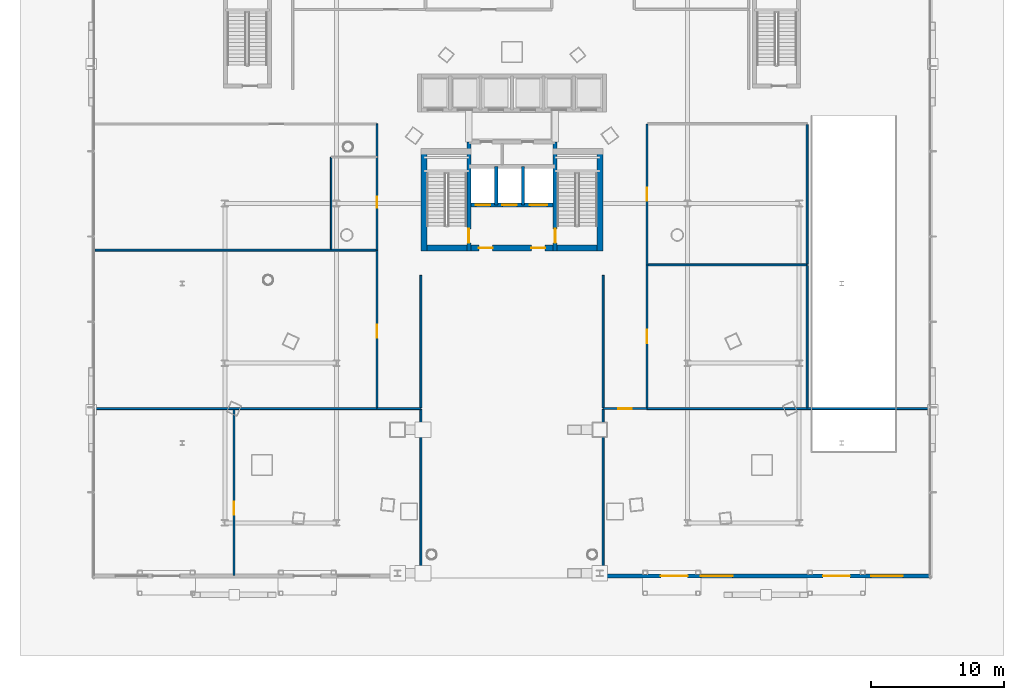
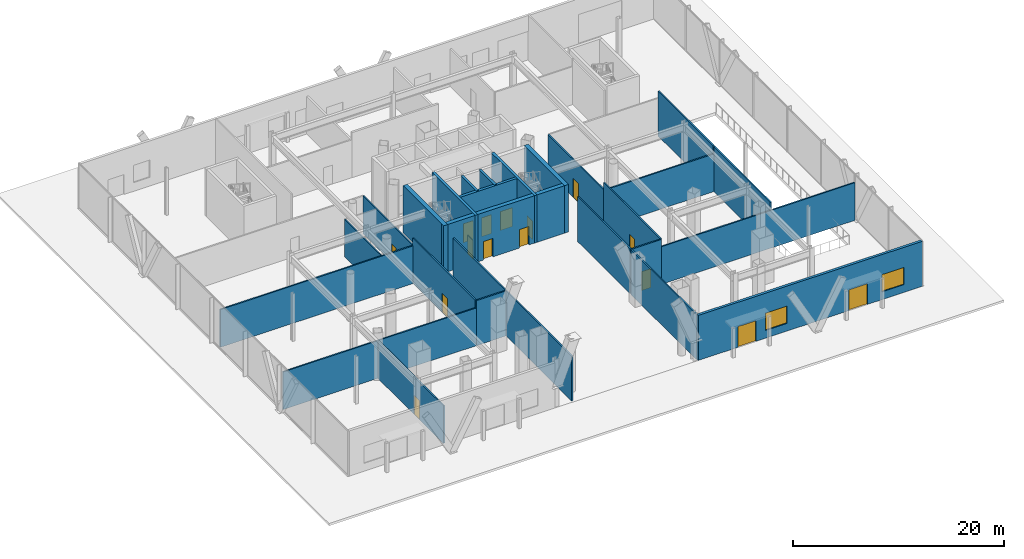
# One storey, part 27 of 38: 27 walls, 15 doors, 2 windows, 17 openings.
"""IFC4 building model written with IfcOpenShell, lengths in metres."""

from ifc_helpers import new_model, si_unit, direction, frame, frame_2d, origin, place, context, subcontext, project, spatial, rectangle, extrude, material, layer, layer_set, type_object, element, fill, save


model = new_model("IFC4")

# Units and contexts
model_context = context("Model", 3, precision=1e-05, world=origin(), true_north=direction((0.0, 1.0)))
body_context = subcontext(model_context, "Body", "Model", "MODEL_VIEW")
ifc_project = project(units=[si_unit("LENGTHUNIT", "METRE"), si_unit("AREAUNIT", "SQUARE_METRE"), si_unit("VOLUMEUNIT", "CUBIC_METRE"), si_unit("PLANEANGLEUNIT", "RADIAN"), si_unit("MASSUNIT", "GRAM", prefix="KILO")], contexts=[model_context])

# Site, building, storey
site_placement = place(None, origin())
site = spatial("IfcSite", under=ifc_project, at=site_placement, CompositionType="ELEMENT")
building_placement = place(site_placement, origin())
building = spatial("IfcBuilding", under=site, at=building_placement, Name="Orvanel Arch Residences", CompositionType="ELEMENT")
storey_placement = place(building_placement, origin())
storey = spatial("IfcBuildingStorey", under=building, at=storey_placement, Name="L00", CompositionType="ELEMENT", Elevation=0.0)

# Wall, openings, doors, windows
ifc_material_1 = material(Name="Precast concrete N50 (50 MPa)", Category="concrete")
ifc_layer_1 = layer(ifc_material_1, 0.280029296875)
ifc_layer_set_1 = layer_set([ifc_layer_1], Name="Precast concrete N50 (50 MPa)")
wall_type_1 = type_object("IfcWallType", Name="EW-POD-280", PredefinedType="SOLIDWALL", material=ifc_layer_set_1)
wall_1_placement = place(storey_placement, frame((64.43994140625, 1.989990234375, 0.0), z_axis=(0.0, 0.0, 1.0), x_axis=(-1.0, 0.0, 0.0)))
wall_1 = element("IfcWall", 1, at=wall_1_placement, inside=storey, type_object=wall_type_1, Name="L00 South-East Retail Streetfront Wall", PredefinedType="SOLIDWALL", context=body_context, shape_type="SweptSolid", body=[
    extrude(rectangle(XDim=24.5849609375, YDim=0.280029296875, at=frame_2d((12.29248046875, 0.0))), origin(), (0.0, 0.0, 1.0), 5.219970703125),
])
opening_1_placement = place(wall_1_placement, frame((6.0400390625, 0.0, 0.0)))
opening_1 = element("IfcOpeningElement", 2, at=opening_1_placement, cuts=wall_1, Name="Opening DE-200", PredefinedType="OPENING", context=body_context, shape_type="SweptSolid", body=[
    extrude(rectangle(XDim=2.0, YDim=2.39990234375, at=frame_2d((1.0, 1.199951171875))), frame((0.0, 0.14990234375, 0.0), z_axis=(0.0, -1.0, 0.0), x_axis=(1.0, 0.0, 0.0)), (0.0, 0.0, 1.0), 0.300048828125),
])
opening_2_placement = place(wall_1_placement, frame((18.239990234375, 0.0, 0.0)))
opening_2 = element("IfcOpeningElement", 3, at=opening_2_placement, cuts=wall_1, Name="Opening DE-200", PredefinedType="OPENING", context=body_context, shape_type="SweptSolid", body=[
    extrude(rectangle(XDim=2.0, YDim=2.39990234375, at=frame_2d((1.0, 1.199951171875))), frame((0.0, 0.14990234375, 0.0), z_axis=(0.0, -1.0, 0.0), x_axis=(1.0, 0.0, 0.0)), (0.0, 0.0, 1.0), 0.300048828125),
])
opening_3_placement = place(wall_1_placement, frame((2.0400390625, 0.0, 0.89990234375)))
opening_3 = element("IfcOpeningElement", 4, at=opening_3_placement, cuts=wall_1, Name="Opening W-02", PredefinedType="OPENING", context=body_context, shape_type="SweptSolid", body=[
    extrude(rectangle(XDim=2.39990234375, YDim=2.0, at=frame_2d((1.199951171875, 1.0))), frame((0.0, 0.14990234375, 0.0), z_axis=(0.0, -1.0, 0.0), x_axis=(1.0, 0.0, 0.0)), (0.0, 0.0, 1.0), 0.300048828125),
])
opening_4_placement = place(wall_1_placement, frame((14.840087890625, 0.0, 0.89990234375)))
opening_4 = element("IfcOpeningElement", 5, at=opening_4_placement, cuts=wall_1, Name="Opening W-02", PredefinedType="OPENING", context=body_context, shape_type="SweptSolid", body=[
    extrude(rectangle(XDim=2.39990234375, YDim=2.0, at=frame_2d((1.199951171875, 1.0))), frame((0.0, 0.14990234375, 0.0), z_axis=(0.0, -1.0, 0.0), x_axis=(1.0, 0.0, 0.0)), (0.0, 0.0, 1.0), 0.300048828125),
])
ifc_material_2 = material(Name="Bronze-anodised aluminium AA6063-T6", Category="aluminium")
door_type_1 = type_object("IfcDoorType", Name="DR-ENT-2000", OperationType="NOTDEFINED", PredefinedType="DOOR", material=ifc_material_2)
door_1_placement = place(opening_1_placement, origin())
door_1 = element("IfcDoor", 6, at=door_1_placement, inside=storey, type_object=door_type_1, Name="DR-L00-ENT-SE1 L00 South-East Gallery Entrance Door", OperationType="DOUBLE_DOOR_SINGLE_SWING", OverallHeight=2.39990234375, OverallWidth=2.0, PredefinedType="DOOR", context=body_context, shape_type="SweptSolid", body=[
    extrude(rectangle(XDim=2.0, YDim=2.39990234375, at=frame_2d((1.0, 1.199951171875))), frame((0.0, 0.02490234375, 0.0), z_axis=(0.0, -1.0, 0.0), x_axis=(1.0, 0.0, 0.0)), (0.0, 0.0, 1.0), 0.050048828125),
])
fill(opening_1, door_1)
door_2_placement = place(opening_2_placement, origin())
door_2 = element("IfcDoor", 7, at=door_2_placement, inside=storey, type_object=door_type_1, Name="DR-L00-ENT-SE2 L00 South-East Retail Street Entrance Door", OperationType="DOUBLE_DOOR_SINGLE_SWING", OverallHeight=2.39990234375, OverallWidth=2.0, PredefinedType="DOOR", context=body_context, shape_type="SweptSolid", body=[
    extrude(rectangle(XDim=2.0, YDim=2.39990234375, at=frame_2d((1.0, 1.199951171875))), frame((0.0, 0.02490234375, 0.0), z_axis=(0.0, -1.0, 0.0), x_axis=(1.0, 0.0, 0.0)), (0.0, 0.0, 1.0), 0.050048828125),
])
fill(opening_2, door_2)
ifc_material_3 = material(Name="Double-glazed solar-control low-E safety glass", Category="glass")
window_type = type_object("IfcWindowType", Name="WIN-POD-2400", PartitioningType="SINGLE_PANEL", PredefinedType="WINDOW", material=ifc_material_3)
window_1_placement = place(opening_3_placement, origin())
window_1 = element("IfcWindow", 8, at=window_1_placement, inside=storey, type_object=window_type, Name="L00 South-East Shopfront Window 1", OverallHeight=2.0, OverallWidth=2.39990234375, PartitioningType="SINGLE_PANEL", PredefinedType="WINDOW", context=body_context, shape_type="SweptSolid", body=[
    extrude(rectangle(XDim=2.39990234375, YDim=2.0, at=frame_2d((1.199951171875, 1.0))), frame((0.0, 0.030029296875, 0.0), z_axis=(0.0, -1.0, 0.0), x_axis=(1.0, 0.0, 0.0)), (0.0, 0.0, 1.0), 0.06005859375),
])
fill(opening_3, window_1)
window_2_placement = place(opening_4_placement, origin())
window_2 = element("IfcWindow", 9, at=window_2_placement, inside=storey, type_object=window_type, Name="L00 South-East Shopfront Window 2", OverallHeight=2.0, OverallWidth=2.39990234375, PartitioningType="SINGLE_PANEL", PredefinedType="WINDOW", context=body_context, shape_type="SweptSolid", body=[
    extrude(rectangle(XDim=2.39990234375, YDim=2.0, at=frame_2d((1.199951171875, 1.0))), frame((0.0, 0.030029296875, 0.0), z_axis=(0.0, -1.0, 0.0), x_axis=(1.0, 0.0, 0.0)), (0.0, 0.0, 1.0), 0.06005859375),
])
fill(opening_4, window_2)

# Walls
ifc_material_4 = material(Name="Concrete N50 (50 MPa)", Category="concrete")
ifc_layer_2 = layer(ifc_material_4, 0.25)
ifc_layer_set_2 = layer_set([ifc_layer_2], Name="Concrete N50 (50 MPa)")
wall_type_2 = type_object("IfcWallType", Name="SW-CORE-250", PredefinedType="SHEAR", material=ifc_layer_set_2)
for number, where, z_axis, x_axis, name in (
    (10, (31.824951171875, 29.89990234375, 0.0), (0.0, 0.0, 1.0), (0.0, 1.0, 0.0), "L00 Emergency Lift Inter-Shaft Wall F12"),
    (11, (33.824951171875, 29.89990234375, 0.0), (0.0, 0.0, 1.0), (0.0, 1.0, 0.0), "L00 Emergency Lift Inter-Shaft Wall F2G"),
):
    element("IfcWall", number, at=place(storey_placement, frame(where, z_axis=z_axis, x_axis=x_axis)), inside=storey, type_object=wall_type_2, Name=name, PredefinedType="SHEAR", context=body_context, shape_type="SweptSolid", body=[
        extrude(rectangle(XDim=2.900146484375, YDim=0.25, at=frame_2d((1.4501953125, 0.0))), origin(), (0.0, 0.0, 1.0), 5.5),
    ])

# Wall, opening, door
ifc_material_5 = material(Name="Concrete S80 (80 MPa)", Category="concrete")
ifc_layer_3 = layer(ifc_material_5, 0.300048828125)
ifc_layer_set_3 = layer_set([ifc_layer_3], Name="Concrete S80 (80 MPa)")
wall_type_3 = type_object("IfcWallType", Name="SW-CORE-300", PredefinedType="SHEAR", material=ifc_layer_set_3)
wall_2_placement = place(storey_placement, frame((29.75, 26.449951171875, 0.0), z_axis=(0.0, 0.0, 1.0), x_axis=(0.0, 1.0, 0.0)))
wall_2 = element("IfcWall", 12, at=wall_2_placement, inside=storey, type_object=wall_type_3, Name="L00 West Inner Core Spine Shear Wall", PredefinedType="SHEAR", context=body_context, shape_type="SweptSolid", body=[
    extrude(rectangle(XDim=8.199951171875, YDim=0.300048828125, at=frame_2d((4.10009765625, 0.0))), origin(), (0.0, 0.0, 1.0), 5.5),
])
opening_5_placement = place(wall_2_placement, frame((0.60009765625, 0.0, 0.0)))
opening_5 = element("IfcOpeningElement", 13, at=opening_5_placement, cuts=wall_2, Name="Opening DF-120", PredefinedType="OPENING", context=body_context, shape_type="SweptSolid", body=[
    extrude(rectangle(XDim=1.050048828125, YDim=2.14990234375, at=frame_2d((0.52490234375, 1.074951171875))), frame((0.0, 0.159912109375, 0.0), z_axis=(0.0, -1.0, 0.0), x_axis=(1.0, 0.0, 0.0)), (0.0, 0.0, 1.0), 0.320068359375),
])
ifc_material_6 = material(Name="Galvanised steel fire-resisting door assembly", Category="steel")
door_type_2 = type_object("IfcDoorType", Name="DR-FD120-1050", OperationType="NOTDEFINED", PredefinedType="DOOR", material=ifc_material_6)
door_3_placement = place(opening_5_placement, origin())
door_3 = element("IfcDoor", 14, at=door_3_placement, inside=storey, type_object=door_type_2, Name="DR-L00-ST1 L00 Stair 1 Fire Door", OperationType="SINGLE_SWING_RIGHT", OverallHeight=2.14990234375, OverallWidth=1.050048828125, PredefinedType="DOOR", context=body_context, shape_type="SweptSolid", body=[
    extrude(rectangle(XDim=1.050048828125, YDim=2.14990234375, at=frame_2d((0.52490234375, 1.074951171875))), frame((0.0, 0.02490234375, 0.0), z_axis=(0.0, -1.0, 0.0), x_axis=(1.0, 0.0, 0.0)), (0.0, 0.0, 1.0), 0.050048828125),
])
fill(opening_5, door_3)

wall_3_placement = place(storey_placement, frame((36.25, 26.449951171875, 0.0), z_axis=(0.0, 0.0, 1.0), x_axis=(0.0, 1.0, 0.0)))
wall_3 = element("IfcWall", 15, at=wall_3_placement, inside=storey, type_object=wall_type_3, Name="L00 East Inner Core Spine Shear Wall", PredefinedType="SHEAR", context=body_context, shape_type="SweptSolid", body=[
    extrude(rectangle(XDim=8.199951171875, YDim=0.300048828125, at=frame_2d((4.10009765625, 0.0))), origin(), (0.0, 0.0, 1.0), 5.5),
])
opening_6_placement = place(wall_3_placement, frame((0.60009765625, 0.0, 0.0)))
opening_6 = element("IfcOpeningElement", 16, at=opening_6_placement, cuts=wall_3, Name="Opening DF-120", PredefinedType="OPENING", context=body_context, shape_type="SweptSolid", body=[
    extrude(rectangle(XDim=1.050048828125, YDim=2.14990234375, at=frame_2d((0.52490234375, 1.074951171875))), frame((0.0, 0.159912109375, 0.0), z_axis=(0.0, -1.0, 0.0), x_axis=(1.0, 0.0, 0.0)), (0.0, 0.0, 1.0), 0.320068359375),
])
door_4_placement = place(opening_6_placement, origin())
door_4 = element("IfcDoor", 17, at=door_4_placement, inside=storey, type_object=door_type_2, Name="DR-L00-ST2 L00 Stair 2 Fire Door", OperationType="SINGLE_SWING_LEFT", OverallHeight=2.14990234375, OverallWidth=1.050048828125, PredefinedType="DOOR", context=body_context, shape_type="SweptSolid", body=[
    extrude(rectangle(XDim=1.050048828125, YDim=2.14990234375, at=frame_2d((0.52490234375, 1.074951171875))), frame((0.0, 0.02490234375, 0.0), z_axis=(0.0, -1.0, 0.0), x_axis=(1.0, 0.0, 0.0)), (0.0, 0.0, 1.0), 0.050048828125),
])
fill(opening_6, door_4)

# Wall, openings, doors
wall_4_placement = place(storey_placement, frame((36.25, 29.89990234375, 0.0), z_axis=(0.0, 0.0, 1.0), x_axis=(-1.0, 0.0, 0.0)))
wall_4 = element("IfcWall", 18, at=wall_4_placement, inside=storey, type_object=wall_type_3, Name="L00 Emergency Lift Front Core Shear Wall", PredefinedType="SHEAR", context=body_context, shape_type="SweptSolid", body=[
    extrude(rectangle(XDim=6.5, YDim=0.300048828125, at=frame_2d((3.25, 0.0))), origin(), (0.0, 0.0, 1.0), 5.5),
])
opening_7_placement = place(wall_4_placement, frame((4.875, 0.0, 0.0)))
opening_7 = element("IfcOpeningElement", 19, at=opening_7_placement, cuts=wall_4, Name="Opening LD-110", PredefinedType="OPENING", context=body_context, shape_type="SweptSolid", body=[
    extrude(rectangle(XDim=1.10009765625, YDim=2.199951171875, at=frame_2d((0.550048828125, 1.10009765625))), frame((0.0, 0.159912109375, 0.0), z_axis=(0.0, -1.0, 0.0), x_axis=(1.0, 0.0, 0.0)), (0.0, 0.0, 1.0), 0.320068359375),
])
opening_8_placement = place(wall_4_placement, frame((2.875, 0.0, 0.0)))
opening_8 = element("IfcOpeningElement", 20, at=opening_8_placement, cuts=wall_4, Name="Opening LD-110", PredefinedType="OPENING", context=body_context, shape_type="SweptSolid", body=[
    extrude(rectangle(XDim=1.10009765625, YDim=2.199951171875, at=frame_2d((0.550048828125, 1.10009765625))), frame((0.0, 0.159912109375, 0.0), z_axis=(0.0, -1.0, 0.0), x_axis=(1.0, 0.0, 0.0)), (0.0, 0.0, 1.0), 0.320068359375),
])
opening_9_placement = place(wall_4_placement, frame((0.60009765625, 0.0, 0.0)))
opening_9 = element("IfcOpeningElement", 21, at=opening_9_placement, cuts=wall_4, Name="Opening LD-130", PredefinedType="OPENING", context=body_context, shape_type="SweptSolid", body=[
    extrude(rectangle(XDim=1.300048828125, YDim=2.199951171875, at=frame_2d((0.64990234375, 1.10009765625))), frame((0.0, 0.159912109375, 0.0), z_axis=(0.0, -1.0, 0.0), x_axis=(1.0, 0.0, 0.0)), (0.0, 0.0, 1.0), 0.320068359375),
])
door_type_3 = type_object("IfcDoorType", Name="DR-LFT-1100", OperationType="NOTDEFINED", PredefinedType="DOOR", material=ifc_material_6)
door_5_placement = place(opening_7_placement, origin())
door_5 = element("IfcDoor", 22, at=door_5_placement, inside=storey, type_object=door_type_3, Name="LD-F1-L00 L00 Lift F1 Sliding Landing Door", OperationType="DOUBLE_DOOR_SLIDING", OverallHeight=2.199951171875, OverallWidth=1.10009765625, PredefinedType="DOOR", context=body_context, shape_type="SweptSolid", body=[
    extrude(rectangle(XDim=1.10009765625, YDim=2.199951171875, at=frame_2d((0.550048828125, 1.10009765625))), frame((0.0, 0.02490234375, 0.0), z_axis=(0.0, -1.0, 0.0), x_axis=(1.0, 0.0, 0.0)), (0.0, 0.0, 1.0), 0.050048828125),
])
fill(opening_7, door_5)
door_6_placement = place(opening_8_placement, origin())
door_6 = element("IfcDoor", 23, at=door_6_placement, inside=storey, type_object=door_type_3, Name="LD-F2-L00 L00 Lift F2 Sliding Landing Door", OperationType="DOUBLE_DOOR_SLIDING", OverallHeight=2.199951171875, OverallWidth=1.10009765625, PredefinedType="DOOR", context=body_context, shape_type="SweptSolid", body=[
    extrude(rectangle(XDim=1.10009765625, YDim=2.199951171875, at=frame_2d((0.550048828125, 1.10009765625))), frame((0.0, 0.02490234375, 0.0), z_axis=(0.0, -1.0, 0.0), x_axis=(1.0, 0.0, 0.0)), (0.0, 0.0, 1.0), 0.050048828125),
])
fill(opening_8, door_6)
door_type_4 = type_object("IfcDoorType", Name="DR-LFT-1300", OperationType="NOTDEFINED", PredefinedType="DOOR", material=ifc_material_6)
door_7_placement = place(opening_9_placement, origin())
door_7 = element("IfcDoor", 24, at=door_7_placement, inside=storey, type_object=door_type_4, Name="LD-G1-L00 L00 Lift G1 Sliding Landing Door", OperationType="DOUBLE_DOOR_SLIDING", OverallHeight=2.199951171875, OverallWidth=1.300048828125, PredefinedType="DOOR", context=body_context, shape_type="SweptSolid", body=[
    extrude(rectangle(XDim=1.300048828125, YDim=2.199951171875, at=frame_2d((0.64990234375, 1.10009765625))), frame((0.0, 0.02490234375, 0.0), z_axis=(0.0, -1.0, 0.0), x_axis=(1.0, 0.0, 0.0)), (0.0, 0.0, 1.0), 0.050048828125),
])
fill(opening_9, door_7)

ifc_layer_4 = layer(ifc_material_5, 0.449951171875)
ifc_layer_set_4 = layer_set([ifc_layer_4], Name="Concrete S80 (80 MPa)")
wall_type_4 = type_object("IfcWallType", Name="SW-CORE-450", PredefinedType="SHEAR", material=ifc_layer_set_4)
wall_5_placement = place(storey_placement, frame((26.14990234375, 26.675048828125, 0.0), z_axis=(0.0, 0.0, 1.0), x_axis=(1.0, 0.0, 0.0)))
wall_5 = element("IfcWall", 25, at=wall_5_placement, inside=storey, type_object=wall_type_4, Name="L00 South Core Shear Wall", PredefinedType="SHEAR", context=body_context, shape_type="SweptSolid", body=[
    extrude(rectangle(XDim=13.7001953125, YDim=0.449951171875, at=frame_2d((6.85009765625, 0.0))), origin(), (0.0, 0.0, 1.0), 5.5),
])
opening_10_placement = place(wall_5_placement, frame((4.35009765625, 0.0, 0.0)))
opening_10 = element("IfcOpeningElement", 26, at=opening_10_placement, cuts=wall_5, Name="Opening DF-060", PredefinedType="OPENING", context=body_context, shape_type="SweptSolid", body=[
    extrude(rectangle(XDim=1.050048828125, YDim=2.14990234375, at=frame_2d((0.52490234375, 1.074951171875))), frame((0.0, 0.23486328125, 0.0), z_axis=(0.0, -1.0, 0.0), x_axis=(1.0, 0.0, 0.0)), (0.0, 0.0, 1.0), 0.469970703125),
])
opening_11_placement = place(wall_5_placement, frame((8.300048828125, 0.0, 0.0)))
opening_11 = element("IfcOpeningElement", 27, at=opening_11_placement, cuts=wall_5, Name="Opening DF-060", PredefinedType="OPENING", context=body_context, shape_type="SweptSolid", body=[
    extrude(rectangle(XDim=1.050048828125, YDim=2.14990234375, at=frame_2d((0.52490234375, 1.074951171875))), frame((0.0, 0.23486328125, 0.0), z_axis=(0.0, -1.0, 0.0), x_axis=(1.0, 0.0, 0.0)), (0.0, 0.0, 1.0), 0.469970703125),
])
door_type_5 = type_object("IfcDoorType", Name="DR-FD60-1050", OperationType="NOTDEFINED", PredefinedType="DOOR", material=ifc_material_6)
door_8_placement = place(opening_10_placement, origin())
door_8 = element("IfcDoor", 28, at=door_8_placement, inside=storey, type_object=door_type_5, Name="DR-L00-FFL-W L00 West Smoke Lobby Door", OperationType="SINGLE_SWING_LEFT", OverallHeight=2.14990234375, OverallWidth=1.050048828125, PredefinedType="DOOR", context=body_context, shape_type="SweptSolid", body=[
    extrude(rectangle(XDim=1.050048828125, YDim=2.14990234375, at=frame_2d((0.52490234375, 1.074951171875))), frame((0.0, 0.02490234375, 0.0), z_axis=(0.0, -1.0, 0.0), x_axis=(1.0, 0.0, 0.0)), (0.0, 0.0, 1.0), 0.050048828125),
])
fill(opening_10, door_8)
door_9_placement = place(opening_11_placement, origin())
door_9 = element("IfcDoor", 29, at=door_9_placement, inside=storey, type_object=door_type_5, Name="DR-L00-FFL-E L00 East Smoke Lobby Door", OperationType="SINGLE_SWING_RIGHT", OverallHeight=2.14990234375, OverallWidth=1.050048828125, PredefinedType="DOOR", context=body_context, shape_type="SweptSolid", body=[
    extrude(rectangle(XDim=1.050048828125, YDim=2.14990234375, at=frame_2d((0.52490234375, 1.074951171875))), frame((0.0, 0.02490234375, 0.0), z_axis=(0.0, -1.0, 0.0), x_axis=(1.0, 0.0, 0.0)), (0.0, 0.0, 1.0), 0.050048828125),
])
fill(opening_11, door_9)

# Walls
for number, where, z_axis, x_axis, name in (
    (30, (26.375, 26.449951171875, 0.0), (0.0, 0.0, 1.0), (0.0, 1.0, 0.0), "L00 West Stair Shear Wall"),
    (31, (39.625, 26.449951171875, 0.0), (0.0, 0.0, 1.0), (0.0, 1.0, 0.0), "L00 East Stair Shear Wall"),
):
    element("IfcWall", number, at=place(storey_placement, frame(where, z_axis=z_axis, x_axis=x_axis)), inside=storey, type_object=wall_type_4, Name=name, PredefinedType="SHEAR", context=body_context, shape_type="SweptSolid", body=[
        extrude(rectangle(XDim=7.699951171875, YDim=0.449951171875, at=frame_2d((3.85009765625, 0.0))), origin(), (0.0, 0.0, 1.0), 5.5),
    ])
ifc_material_7 = material(Name="Acoustic plasterboard lined twin-stud partition", Category="gypsum")
ifc_layer_5 = layer(ifc_material_7, 0.14990234375)
ifc_layer_set_5 = layer_set([ifc_layer_5], Name="Acoustic plasterboard lined twin-stud partition")
wall_type_5 = type_object("IfcWallType", Name="W-POD-150", PredefinedType="PARTITIONING", material=ifc_layer_set_5)
wall_6_placement = place(storey_placement, frame((22.85009765625, 14.580078125, 0.0), z_axis=(0.0, 0.0, 1.0), x_axis=(1.0, 0.0, 0.0)))
element("IfcWall", 32, at=wall_6_placement, inside=storey, type_object=wall_type_5, Name="L00 West Corridor South End Wall", PredefinedType="PARTITIONING", context=body_context, shape_type="SweptSolid", body=[
    extrude(rectangle(XDim=3.2998046875, YDim=0.14990234375, at=frame_2d((1.64990234375, 0.0))), origin(), (0.0, 0.0, 1.0), 5.219970703125),
])
wall_7_placement = place(storey_placement, frame((26.14990234375, 2.050048828125, 0.0), z_axis=(0.0, 0.0, 1.0), x_axis=(0.0, 1.0, 0.0)))
element("IfcWall", 33, at=wall_7_placement, inside=storey, type_object=wall_type_5, Name="L00 Reception Arch Wall", PredefinedType="PARTITIONING", context=body_context, shape_type="SweptSolid", body=[
    extrude(rectangle(XDim=12.469970703125, YDim=0.14990234375, at=frame_2d((6.23486328125, 0.0))), origin(), (0.0, 0.0, 1.0), 5.219970703125),
])
wall_8_placement = place(storey_placement, frame((26.14990234375, 14.639892578125, 0.0), z_axis=(0.0, 0.0, 1.0), x_axis=(0.0, 1.0, 0.0)))
element("IfcWall", 34, at=wall_8_placement, inside=storey, type_object=wall_type_5, Name="L00 Reception Arch Wall", PredefinedType="PARTITIONING", context=body_context, shape_type="SweptSolid", body=[
    extrude(rectangle(XDim=9.960205078125, YDim=0.14990234375, at=frame_2d((4.97998046875, 0.0))), origin(), (0.0, 0.0, 1.0), 5.219970703125),
])

# Wall, opening, door
wall_9_placement = place(storey_placement, frame((22.85009765625, 14.639892578125, 0.0), z_axis=(0.0, 0.0, 1.0), x_axis=(0.0, 1.0, 0.0)))
wall_9 = element("IfcWall", 35, at=wall_9_placement, inside=storey, type_object=wall_type_5, Name="L00 Residential Foyer Corridor Wall", PredefinedType="PARTITIONING", context=body_context, shape_type="SweptSolid", body=[
    extrude(rectangle(XDim=11.860107421875, YDim=0.14990234375, at=frame_2d((5.93017578125, 0.0))), origin(), (0.0, 0.0, 1.0), 5.219970703125),
])
opening_12_placement = place(wall_9_placement, frame((5.260009765625, 0.0, 0.0)))
opening_12 = element("IfcOpeningElement", 36, at=opening_12_placement, cuts=wall_9, Name="Opening DP-100", PredefinedType="OPENING", context=body_context, shape_type="SweptSolid", body=[
    extrude(rectangle(XDim=1.0, YDim=2.199951171875, at=frame_2d((0.5, 1.10009765625))), frame((0.0, 0.0849609375, 0.0), z_axis=(0.0, -1.0, 0.0), x_axis=(1.0, 0.0, 0.0)), (0.0, 0.0, 1.0), 0.169921875),
])
ifc_material_8 = material(Name="Solid-core European oak veneer fire door leaf", Category="wood")
door_type_6 = type_object("IfcDoorType", Name="DR-POD-1000", OperationType="NOTDEFINED", PredefinedType="DOOR", material=ifc_material_8)
door_10_placement = place(opening_12_placement, origin())
door_10 = element("IfcDoor", 37, at=door_10_placement, inside=storey, type_object=door_type_6, Name="DR-L00-CONC L00 Residential Concierge Door", OperationType="SINGLE_SWING_RIGHT", OverallHeight=2.199951171875, OverallWidth=1.0, PredefinedType="DOOR", context=body_context, shape_type="SweptSolid", body=[
    extrude(rectangle(XDim=1.0, YDim=2.199951171875, at=frame_2d((0.5, 1.10009765625))), frame((0.0, 0.02490234375, 0.0), z_axis=(0.0, -1.0, 0.0), x_axis=(1.0, 0.0, 0.0)), (0.0, 0.0, 1.0), 0.050048828125),
])
fill(opening_12, door_10)

# Walls
wall_10_placement = place(storey_placement, frame((1.64990234375, 14.580078125, 0.0), z_axis=(0.0, 0.0, 1.0), x_axis=(1.0, 0.0, 0.0)))
element("IfcWall", 38, at=wall_10_placement, inside=storey, type_object=wall_type_5, Name="L00 South-West Split Wall", PredefinedType="PARTITIONING", context=body_context, shape_type="SweptSolid", body=[
    extrude(rectangle(XDim=21.2001953125, YDim=0.14990234375, at=frame_2d((10.60009765625, 0.0))), origin(), (0.0, 0.0, 1.0), 4.368896484375),
])
wall_11_placement = place(storey_placement, frame((1.64990234375, 26.5, 0.0), z_axis=(0.0, 0.0, 1.0), x_axis=(1.0, 0.0, 0.0)))
element("IfcWall", 39, at=wall_11_placement, inside=storey, type_object=wall_type_5, Name="L00 Foyer North Wall", PredefinedType="PARTITIONING", context=body_context, shape_type="SweptSolid", body=[
    extrude(rectangle(XDim=21.14013671875, YDim=0.14990234375, at=frame_2d((10.570068359375, 0.0))), origin(), (0.0, 0.0, 1.0), 4.368896484375),
])

# Wall, opening, door
wall_12_placement = place(storey_placement, frame((12.10009765625, 2.050048828125, 0.0), z_axis=(0.0, 0.0, 1.0), x_axis=(0.0, 1.0, 0.0)))
wall_12 = element("IfcWall", 40, at=wall_12_placement, inside=storey, type_object=wall_type_5, Name="L00 Pharmacy Partition Wall", PredefinedType="PARTITIONING", context=body_context, shape_type="SweptSolid", body=[
    extrude(rectangle(XDim=12.469970703125, YDim=0.14990234375, at=frame_2d((6.23486328125, 0.0))), origin(), (0.0, 0.0, 1.0), 4.368896484375),
])
opening_13_placement = place(wall_12_placement, frame((4.5400390625, 0.0, 0.0)))
opening_13 = element("IfcOpeningElement", 41, at=opening_13_placement, cuts=wall_12, Name="Opening DP-100", PredefinedType="OPENING", context=body_context, shape_type="SweptSolid", body=[
    extrude(rectangle(XDim=1.0, YDim=2.199951171875, at=frame_2d((0.5, 1.10009765625))), frame((0.0, 0.0849609375, 0.0), z_axis=(0.0, -1.0, 0.0), x_axis=(1.0, 0.0, 0.0)), (0.0, 0.0, 1.0), 0.169921875),
])
door_11_placement = place(opening_13_placement, origin())
door_11 = element("IfcDoor", 42, at=door_11_placement, inside=storey, type_object=door_type_6, Name="DR-L00-PHARM L00 Dispensary Pharmacy Door", OperationType="SINGLE_SWING_LEFT", OverallHeight=2.199951171875, OverallWidth=1.0, PredefinedType="DOOR", context=body_context, shape_type="SweptSolid", body=[
    extrude(rectangle(XDim=1.0, YDim=2.199951171875, at=frame_2d((0.5, 1.10009765625))), frame((0.0, 0.02490234375, 0.0), z_axis=(0.0, -1.0, 0.0), x_axis=(1.0, 0.0, 0.0)), (0.0, 0.0, 1.0), 0.050048828125),
])
fill(opening_13, door_11)

wall_13_placement = place(storey_placement, frame((39.85009765625, 14.580078125, 0.0), z_axis=(0.0, 0.0, 1.0), x_axis=(1.0, 0.0, 0.0)))
wall_13 = element("IfcWall", 43, at=wall_13_placement, inside=storey, type_object=wall_type_5, Name="L00 East Corridor South End Wall", PredefinedType="PARTITIONING", context=body_context, shape_type="SweptSolid", body=[
    extrude(rectangle(XDim=3.2998046875, YDim=0.14990234375, at=frame_2d((1.64990234375, 0.0))), origin(), (0.0, 0.0, 1.0), 5.219970703125),
])
opening_14_placement = place(wall_13_placement, frame((1.14990234375, 0.0, 0.0)))
opening_14 = element("IfcOpeningElement", 44, at=opening_14_placement, cuts=wall_13, Name="Opening DP-100", PredefinedType="OPENING", context=body_context, shape_type="SweptSolid", body=[
    extrude(rectangle(XDim=1.0, YDim=2.199951171875, at=frame_2d((0.5, 1.10009765625))), frame((0.0, 0.0849609375, 0.0), z_axis=(0.0, -1.0, 0.0), x_axis=(1.0, 0.0, 0.0)), (0.0, 0.0, 1.0), 0.169921875),
])
door_12_placement = place(opening_14_placement, origin())
door_12 = element("IfcDoor", 45, at=door_12_placement, inside=storey, type_object=door_type_6, Name="DR-L00-RET-SE L00 Admissions Reception Door", OperationType="SINGLE_SWING_RIGHT", OverallHeight=2.199951171875, OverallWidth=1.0, PredefinedType="DOOR", context=body_context, shape_type="SweptSolid", body=[
    extrude(rectangle(XDim=1.0, YDim=2.199951171875, at=frame_2d((0.5, 1.10009765625))), frame((0.0, 0.02490234375, 0.0), z_axis=(0.0, -1.0, 0.0), x_axis=(1.0, 0.0, 0.0)), (0.0, 0.0, 1.0), 0.050048828125),
])
fill(opening_14, door_12)

# Walls
wall_14_placement = place(storey_placement, frame((39.85009765625, 2.050048828125, 0.0), z_axis=(0.0, 0.0, 1.0), x_axis=(0.0, 1.0, 0.0)))
element("IfcWall", 46, at=wall_14_placement, inside=storey, type_object=wall_type_5, Name="L00 East Arch Wall", PredefinedType="PARTITIONING", context=body_context, shape_type="SweptSolid", body=[
    extrude(rectangle(XDim=12.469970703125, YDim=0.14990234375, at=frame_2d((6.23486328125, 0.0))), origin(), (0.0, 0.0, 1.0), 5.219970703125),
])
wall_15_placement = place(storey_placement, frame((39.85009765625, 14.639892578125, 0.0), z_axis=(0.0, 0.0, 1.0), x_axis=(0.0, 1.0, 0.0)))
element("IfcWall", 47, at=wall_15_placement, inside=storey, type_object=wall_type_5, Name="L00 East Arch Wall", PredefinedType="PARTITIONING", context=body_context, shape_type="SweptSolid", body=[
    extrude(rectangle(XDim=9.960205078125, YDim=0.14990234375, at=frame_2d((4.97998046875, 0.0))), origin(), (0.0, 0.0, 1.0), 5.219970703125),
])

# Wall, opening, door
wall_16_placement = place(storey_placement, frame((43.14990234375, 14.639892578125, 0.0), z_axis=(0.0, 0.0, 1.0), x_axis=(0.0, 1.0, 0.0)))
wall_16 = element("IfcWall", 48, at=wall_16_placement, inside=storey, type_object=wall_type_5, Name="L00 East Consulting 1 Corridor Wall", PredefinedType="PARTITIONING", context=body_context, shape_type="SweptSolid", body=[
    extrude(rectangle(XDim=10.760009765625, YDim=0.14990234375, at=frame_2d((5.3798828125, 0.0))), origin(), (0.0, 0.0, 1.0), 5.219970703125),
])
opening_15_placement = place(wall_16_placement, frame((4.860107421875, 0.0, 0.0)))
opening_15 = element("IfcOpeningElement", 49, at=opening_15_placement, cuts=wall_16, Name="Opening DP-100", PredefinedType="OPENING", context=body_context, shape_type="SweptSolid", body=[
    extrude(rectangle(XDim=1.0, YDim=2.199951171875, at=frame_2d((0.5, 1.10009765625))), frame((0.0, 0.0849609375, 0.0), z_axis=(0.0, -1.0, 0.0), x_axis=(1.0, 0.0, 0.0)), (0.0, 0.0, 1.0), 0.169921875),
])
door_13_placement = place(opening_15_placement, origin())
door_13 = element("IfcDoor", 50, at=door_13_placement, inside=storey, type_object=door_type_6, Name="DR-L00-GAL1 L00 Consulting Suite 1 Door", OperationType="SINGLE_SWING_LEFT", OverallHeight=2.199951171875, OverallWidth=1.0, PredefinedType="DOOR", context=body_context, shape_type="SweptSolid", body=[
    extrude(rectangle(XDim=1.0, YDim=2.199951171875, at=frame_2d((0.5, 1.10009765625))), frame((0.0, 0.02490234375, 0.0), z_axis=(0.0, -1.0, 0.0), x_axis=(1.0, 0.0, 0.0)), (0.0, 0.0, 1.0), 0.050048828125),
])
fill(opening_15, door_13)

wall_17_placement = place(storey_placement, frame((43.14990234375, 25.39990234375, 0.0), z_axis=(0.0, 0.0, 1.0), x_axis=(0.0, 1.0, 0.0)))
wall_17 = element("IfcWall", 51, at=wall_17_placement, inside=storey, type_object=wall_type_5, Name="L00 East Consulting 2 Corridor Wall", PredefinedType="PARTITIONING", context=body_context, shape_type="SweptSolid", body=[
    extrude(rectangle(XDim=10.60009765625, YDim=0.14990234375, at=frame_2d((5.300048828125, 0.0))), origin(), (0.0, 0.0, 1.0), 4.368896484375),
])
opening_16_placement = place(wall_17_placement, frame((4.800048828125, 0.0, 0.0)))
opening_16 = element("IfcOpeningElement", 52, at=opening_16_placement, cuts=wall_17, Name="Opening DP-100", PredefinedType="OPENING", context=body_context, shape_type="SweptSolid", body=[
    extrude(rectangle(XDim=1.0, YDim=2.199951171875, at=frame_2d((0.5, 1.10009765625))), frame((0.0, 0.0849609375, 0.0), z_axis=(0.0, -1.0, 0.0), x_axis=(1.0, 0.0, 0.0)), (0.0, 0.0, 1.0), 0.169921875),
])
door_14_placement = place(opening_16_placement, origin())
door_14 = element("IfcDoor", 53, at=door_14_placement, inside=storey, type_object=door_type_6, Name="DR-L00-GAL2 L00 Consulting Suite 2 Door", OperationType="SINGLE_SWING_LEFT", OverallHeight=2.199951171875, OverallWidth=1.0, PredefinedType="DOOR", context=body_context, shape_type="SweptSolid", body=[
    extrude(rectangle(XDim=1.0, YDim=2.199951171875, at=frame_2d((0.5, 1.10009765625))), frame((0.0, 0.02490234375, 0.0), z_axis=(0.0, -1.0, 0.0), x_axis=(1.0, 0.0, 0.0)), (0.0, 0.0, 1.0), 0.050048828125),
])
fill(opening_16, door_14)

# Walls
wall_18_placement = place(storey_placement, frame((43.14990234375, 14.580078125, 0.0), z_axis=(0.0, 0.0, 1.0), x_axis=(1.0, 0.0, 0.0)))
element("IfcWall", 54, at=wall_18_placement, inside=storey, type_object=wall_type_5, Name="L00 East Wing Split Wall", PredefinedType="PARTITIONING", context=body_context, shape_type="SweptSolid", body=[
    extrude(rectangle(XDim=21.2001953125, YDim=0.14990234375, at=frame_2d((10.60009765625, 0.0))), origin(), (0.0, 0.0, 1.0), 4.368896484375),
])
wall_19_placement = place(storey_placement, frame((43.2099609375, 25.39990234375, 0.0), z_axis=(0.0, 0.0, 1.0), x_axis=(1.0, 0.0, 0.0)))
element("IfcWall", 55, at=wall_19_placement, inside=storey, type_object=wall_type_5, Name="L00 East Consulting Mid Wall", PredefinedType="PARTITIONING", context=body_context, shape_type="SweptSolid", body=[
    extrude(rectangle(XDim=11.989990234375, YDim=0.14990234375, at=frame_2d((5.9951171875, 0.0))), origin(), (0.0, 0.0, 1.0), 4.368896484375),
])
wall_20_placement = place(storey_placement, frame((55.199951171875, 14.639892578125, 0.0), z_axis=(0.0, 0.0, 1.0), x_axis=(0.0, 1.0, 0.0)))
element("IfcWall", 56, at=wall_20_placement, inside=storey, type_object=wall_type_5, Name="L00 Ramp Separation Wall", PredefinedType="PARTITIONING", context=body_context, shape_type="SweptSolid", body=[
    extrude(rectangle(XDim=10.7001953125, YDim=0.14990234375, at=frame_2d((5.35009765625, 0.0))), origin(), (0.0, 0.0, 1.0), 5.219970703125),
])
wall_21_placement = place(storey_placement, frame((55.199951171875, 25.4599609375, 0.0), z_axis=(0.0, 0.0, 1.0), x_axis=(0.0, 1.0, 0.0)))
element("IfcWall", 57, at=wall_21_placement, inside=storey, type_object=wall_type_5, Name="L00 Ramp Separation Wall", PredefinedType="PARTITIONING", context=body_context, shape_type="SweptSolid", body=[
    extrude(rectangle(XDim=10.47998046875, YDim=0.14990234375, at=frame_2d((5.239990234375, 0.0))), origin(), (0.0, 0.0, 1.0), 5.219970703125),
])

# Wall, opening, door
ifc_layer_6 = layer(ifc_material_7, 0.1201171875)
ifc_layer_set_6 = layer_set([ifc_layer_6], Name="Acoustic plasterboard lined twin-stud partition")
wall_type_6 = type_object("IfcWallType", Name="W-WET-120", PredefinedType="PARTITIONING", material=ifc_layer_set_6)
wall_22_placement = place(storey_placement, frame((22.85009765625, 26.5, 0.0), z_axis=(0.0, 0.0, 1.0), x_axis=(0.0, 1.0, 0.0)))
wall_22 = element("IfcWall", 58, at=wall_22_placement, inside=storey, type_object=wall_type_6, Name="L00 Ground WC Corridor Wall", PredefinedType="PARTITIONING", context=body_context, shape_type="SweptSolid", body=[
    extrude(rectangle(XDim=9.5, YDim=0.1201171875, at=frame_2d((4.75, 0.0))), origin(), (0.0, 0.0, 1.0), 4.368896484375),
])
opening_17_placement = place(wall_22_placement, frame((3.18994140625, 0.0, 0.0)))
opening_17 = element("IfcOpeningElement", 59, at=opening_17_placement, cuts=wall_22, Name="Opening DW-082", PredefinedType="OPENING", context=body_context, shape_type="SweptSolid", body=[
    extrude(rectangle(XDim=0.820068359375, YDim=2.10009765625, at=frame_2d((0.41015625, 1.050048828125))), frame((0.0, 0.070068359375, 0.0), z_axis=(0.0, -1.0, 0.0), x_axis=(1.0, 0.0, 0.0)), (0.0, 0.0, 1.0), 0.14013671875),
])
door_type_7 = type_object("IfcDoorType", Name="DR-WET-820", OperationType="NOTDEFINED", PredefinedType="DOOR", material=ifc_material_8)
door_15_placement = place(opening_17_placement, origin())
door_15 = element("IfcDoor", 60, at=door_15_placement, inside=storey, type_object=door_type_7, Name="DR-L00-WC L00 Accessible WC Door", OperationType="SINGLE_SWING_LEFT", OverallHeight=2.10009765625, OverallWidth=0.820068359375, PredefinedType="DOOR", context=body_context, shape_type="SweptSolid", body=[
    extrude(rectangle(XDim=0.820068359375, YDim=2.10009765625, at=frame_2d((0.41015625, 1.050048828125))), frame((0.0, 0.02490234375, 0.0), z_axis=(0.0, -1.0, 0.0), x_axis=(1.0, 0.0, 0.0)), (0.0, 0.0, 1.0), 0.050048828125),
])
fill(opening_17, door_15)

# Wall
wall_23_placement = place(storey_placement, frame((19.39990234375, 26.56005859375, 0.0), z_axis=(0.0, 0.0, 1.0), x_axis=(0.0, 1.0, 0.0)))
element("IfcWall", 61, at=wall_23_placement, inside=storey, type_object=wall_type_6, Name="L00 WC West Wall", PredefinedType="PARTITIONING", context=body_context, shape_type="SweptSolid", body=[
    extrude(rectangle(XDim=6.93994140625, YDim=0.1201171875, at=frame_2d((3.469970703125, 0.0))), origin(), (0.0, 0.0, 1.0), 4.368896484375),
])

save(model, "model.ifc")
